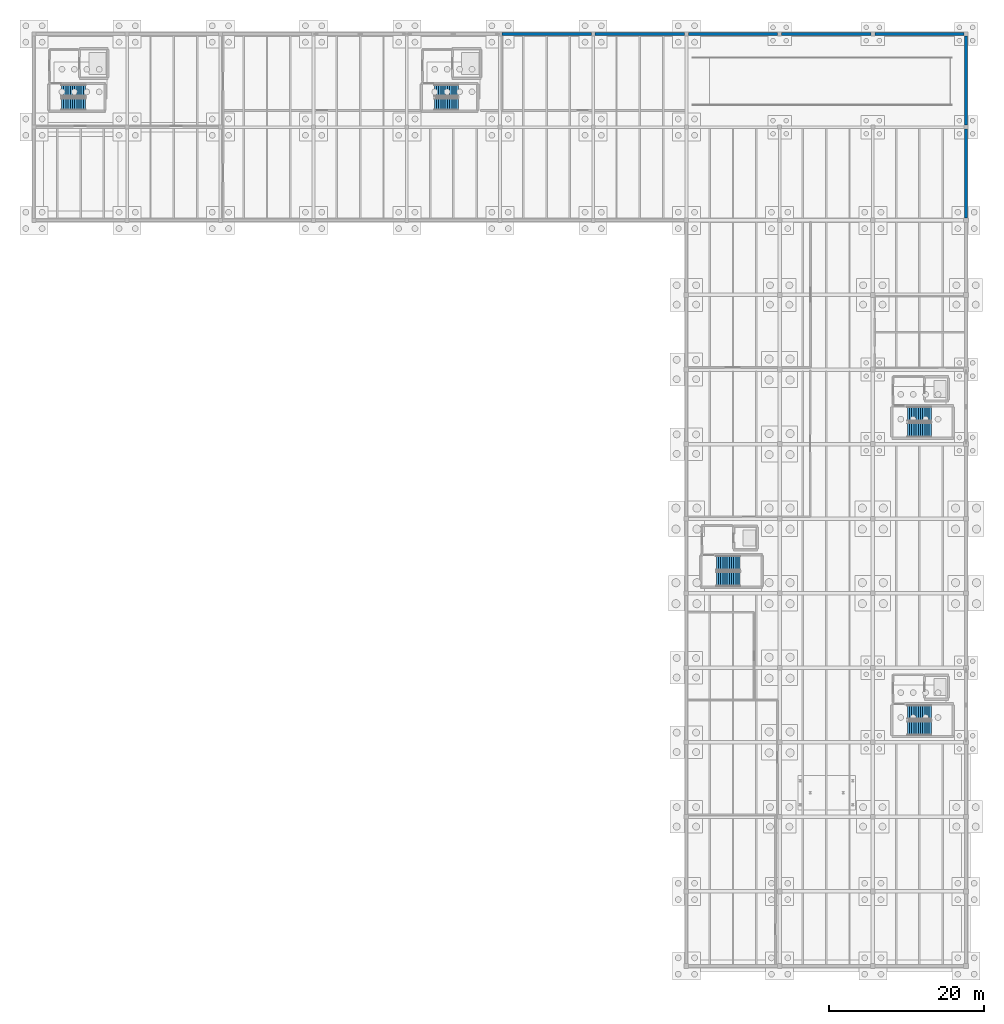
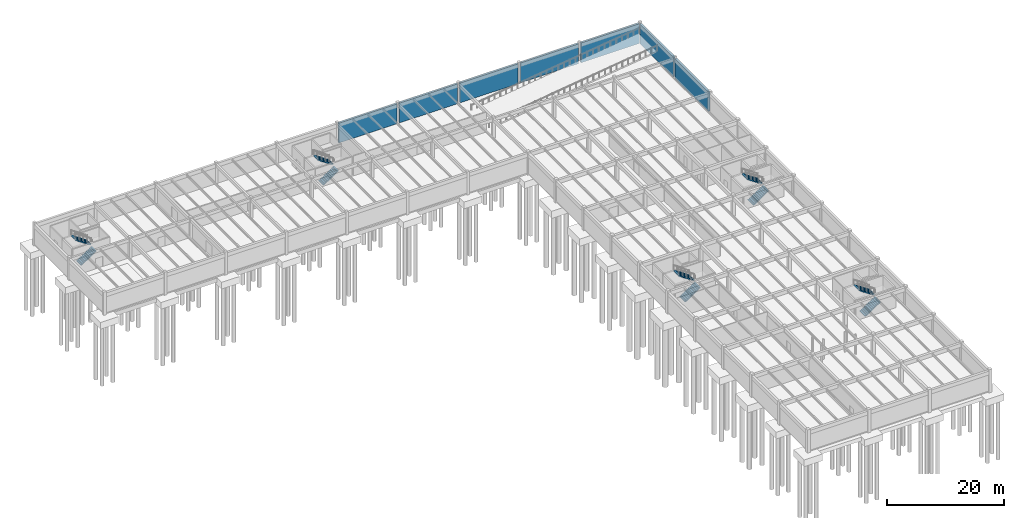
# One storey, part 14 of 20: 10 stair flights, 7 walls, 5 elements without a shape of their own.
"""IFC4 building model written with IfcOpenShell, lengths in metres."""

import ifcopenshell
import ifcopenshell.guid

model = None  # the IFC model being written
_history = None  # IfcOwnerHistory: only IFC2X3 demands one
_inside = {}  # id of a spatial element -> (the spatial element, [elements in it])
_under = {}  # id of a project, library or spatial element -> (it, [spatial elements below it])
_declared = {}  # id of a project -> (the project, [libraries it declares])
_typed = {}  # id of a type object -> (the type object, [elements of that type])
_made_of = {}  # id of a material, layer set ... -> (it, [elements and type objects made of it])


def new_model(schema):
    """Start an empty IFC model of exactly this schema.

    Asked for "IFC4X3", IfcOpenShell would pick the latest addendum, in which some entities
    have other attributes; the version numbers below select the first issue.
    IFC2X3 requires an IfcOwnerHistory on every rooted entity: one is made here for all.
    """
    global model, _history
    if schema == "IFC4X3":
        model = ifcopenshell.file(schema_version=(4, 3, 0, 0))
    else:
        model = ifcopenshell.file(schema=schema)
    _inside.clear()
    _under.clear()
    _declared.clear()
    _typed.clear()
    _made_of.clear()
    _history = None
    if model.schema == "IFC2X3":
        org = make("IfcOrganization", Name="unknown")
        user = make(
            "IfcPersonAndOrganization",
            ThePerson=make("IfcPerson", FamilyName="unknown"),
            TheOrganization=org,
        )
        app = make(
            "IfcApplication",
            ApplicationDeveloper=org,
            Version="unknown",
            ApplicationFullName="unknown",
            ApplicationIdentifier="unknown",
        )
        _history = make(
            "IfcOwnerHistory",
            OwningUser=user,
            OwningApplication=app,
            ChangeAction="ADDED",
            CreationDate=0,
        )
    return model


def make(cls, **values):
    """One entity of the class cls with the attributes given. An attribute that is None is left unset."""
    return model.create_entity(
        cls, **{name: value for name, value in values.items() if value is not None}
    )


def rooted(cls, **values):
    """An entity with a GlobalId (a new one), such as an element, a storey or a relation."""
    return make(cls, GlobalId=ifcopenshell.guid.new(), OwnerHistory=_history, **values)


def si_unit(unit_type, name, prefix=None):
    """IfcSIUnit, for example si_unit("LENGTHUNIT", "METRE", prefix="MILLI")."""
    return make("IfcSIUnit", UnitType=unit_type, Prefix=prefix, Name=name)


def assignment(units):
    """IfcUnitAssignment: the units of a project."""
    return None if units is None else make("IfcUnitAssignment", Units=units)


def point(xyz):
    """IfcCartesianPoint."""
    return None if xyz is None else make("IfcCartesianPoint", Coordinates=xyz)


def direction(xyz):
    """IfcDirection."""
    return None if xyz is None else make("IfcDirection", DirectionRatios=xyz)


def frame(location, z_axis=None, x_axis=None):
    """IfcAxis2Placement3D, a coordinate frame: its origin and axes. An axis left out is left unset."""
    return make(
        "IfcAxis2Placement3D",
        Location=point(location),
        Axis=direction(z_axis),
        RefDirection=direction(x_axis),
    )


def frame_2d(location, x_axis=None):
    """IfcAxis2Placement2D, a coordinate frame in the plane: its origin and x axis."""
    return make(
        "IfcAxis2Placement2D", Location=point(location), RefDirection=direction(x_axis)
    )


def origin():
    """The frame at (0, 0, 0) with its axes left unset."""
    return frame((0.0, 0.0, 0.0))


def place(relative_to, where):
    """IfcLocalPlacement: puts the frame where relative to a parent placement (None: the world)."""
    return make(
        "IfcLocalPlacement", PlacementRelTo=relative_to, RelativePlacement=where
    )


def context(
    kind, dimensions, precision=None, world=None, true_north=None, identifier=None
):
    """IfcGeometricRepresentationContext, for example the 3D "Model" context."""
    return make(
        "IfcGeometricRepresentationContext",
        ContextIdentifier=identifier,
        ContextType=kind,
        CoordinateSpaceDimension=dimensions,
        Precision=precision,
        WorldCoordinateSystem=world,
        TrueNorth=true_north,
    )


def subcontext(parent, identifier, kind, view, scale=None):
    """IfcGeometricRepresentationSubContext, for example "Body" below "Model"."""
    return make(
        "IfcGeometricRepresentationSubContext",
        ContextIdentifier=identifier,
        ContextType=kind,
        ParentContext=parent,
        TargetScale=scale,
        TargetView=view,
    )


def project(units=None, contexts=None):
    """IfcProject with its units and contexts."""
    return rooted(
        "IfcProject",
        Name="project",
        RepresentationContexts=contexts,
        UnitsInContext=assignment(units),
    )


def spatial(cls, under=None, at=None, **own):
    """A site, building, storey or space (cls), placed at a placement, below another one or the project."""
    s = rooted(cls, ObjectPlacement=at, **own)
    if under is not None:
        _under.setdefault(under.id(), (under, []))[1].append(s)
    return s


def polyline(points):
    """IfcPolyline through the points."""
    return make("IfcPolyline", Points=[point(p) for p in points])


def profile(cls, at=None, kind="AREA", **sizes):
    """A parametric profile (cls). Its sizes go by their IFC names, for example OverallWidth=200.0."""
    return make(cls, ProfileType=kind, Position=at, **sizes)


def rectangle(**sizes):
    """IfcRectangleProfileDef."""
    return profile("IfcRectangleProfileDef", **sizes)


def outline(outer, holes=None, kind="AREA"):
    """IfcArbitraryClosedProfileDef: a profile drawn as a closed curve; with holes, ...WithVoids."""
    if holes is None:
        return make("IfcArbitraryClosedProfileDef", ProfileType=kind, OuterCurve=outer)
    return make(
        "IfcArbitraryProfileDefWithVoids",
        ProfileType=kind,
        OuterCurve=outer,
        InnerCurves=holes,
    )


def extrude(swept, where, along, depth):
    """IfcExtrudedAreaSolid: the profile swept, set in the frame where, extruded along a direction by depth."""
    return make(
        "IfcExtrudedAreaSolid",
        SweptArea=swept,
        Position=where,
        ExtrudedDirection=direction(along),
        Depth=depth,
    )


def shape(context_of_items, identifier, shape_type, items):
    """IfcShapeRepresentation: the items that make up one representation, for example the "Body"."""
    return make(
        "IfcShapeRepresentation",
        ContextOfItems=context_of_items,
        RepresentationIdentifier=identifier,
        RepresentationType=shape_type,
        Items=items,
    )


def material(Name=None, Category=None):
    """IfcMaterial."""
    return make("IfcMaterial", Name=Name, Category=Category)


def layer(
    of_material, thickness, ventilated=None, Name=None, Category=None, Priority=None
):
    """IfcMaterialLayer: one layer of a wall or slab, of a material (None: an air gap)."""
    return make(
        "IfcMaterialLayer",
        Material=of_material,
        LayerThickness=thickness,
        IsVentilated=ventilated,
        Name=Name,
        Category=Category,
        Priority=Priority,
    )


def layer_set(layers, Name=None):
    """IfcMaterialLayerSet."""
    return make("IfcMaterialLayerSet", MaterialLayers=layers, LayerSetName=Name)


def made_of(thing, what):
    """Note that an element or type object is made of a material, layer set ...; save() writes the relation."""
    if what is not None:
        _made_of.setdefault(what.id(), (what, []))[1].append(thing)
    return thing


def type_object(cls, material=None, **own):
    """A type object (cls), such as IfcWallType, which elements share."""
    return made_of(rooted(cls, **own), material)


def element(
    cls,
    number,
    at=None,
    inside=None,
    cuts=None,
    type_object=None,
    material=None,
    context=None,
    identifier="Body",
    shape_type=None,
    held_by="IfcProductDefinitionShape",
    body=None,
    shapes=None,
    **own,
):
    """One element of the class cls, such as IfcWall. Its Tag is "e" and its number.

    at: its placement. inside: the storey or other place that contains it. cuts: it is an
    opening in that element (IfcRelVoidsElement). A single representation is given by context,
    identifier, shape_type and body (its items); several are given by shapes. held_by: the class
    of the entity that holds the representations. save() writes the other relations.
    """
    e = rooted(cls, Tag="e%d" % number, ObjectPlacement=at, **own)
    if body is not None:
        shapes = [shape(context, identifier, shape_type, body)]
    if shapes is not None:
        e.Representation = make(held_by, Representations=shapes)
    if inside is not None:
        _inside.setdefault(inside.id(), (inside, []))[1].append(e)
    if cuts is not None:
        rooted(
            "IfcRelVoidsElement", RelatingBuildingElement=cuts, RelatedOpeningElement=e
        )
    if type_object is not None:
        _typed.setdefault(type_object.id(), (type_object, []))[1].append(e)
    return made_of(e, material)


def aggregate(whole, parts):
    """IfcRelAggregates: a whole, such as a stair, and the parts it consists of."""
    return rooted("IfcRelAggregates", RelatingObject=whole, RelatedObjects=parts)


def save(model, path):
    """Write the relations noted so far, then the file.

    IfcRelAggregates (storeys below a building ...), IfcRelContainedInSpatialStructure (elements
    in a storey), IfcRelDefinesByType, IfcRelAssociatesMaterial and IfcRelDeclares: one each for
    every whole, place, type object, material and project.
    """
    for whole, parts in _under.values():
        aggregate(whole, parts)
    for where, things in _inside.values():
        rooted(
            "IfcRelContainedInSpatialStructure",
            RelatedElements=things,
            RelatingStructure=where,
        )
    for kind, things in _typed.values():
        rooted("IfcRelDefinesByType", RelatedObjects=things, RelatingType=kind)
    for what, things in _made_of.values():
        rooted("IfcRelAssociatesMaterial", RelatedObjects=things, RelatingMaterial=what)
    for by, libraries in _declared.values():
        rooted("IfcRelDeclares", RelatingContext=by, RelatedDefinitions=libraries)
    model.write(path)


model = new_model("IFC4")

# Units and contexts
model_context = context("Model", 3, precision=1e-05, world=origin(), true_north=direction((0.0, 1.0)))
body_context = subcontext(model_context, "Body", "Model", "MODEL_VIEW")
ifc_project = project(units=[si_unit("LENGTHUNIT", "METRE"), si_unit("AREAUNIT", "SQUARE_METRE"), si_unit("VOLUMEUNIT", "CUBIC_METRE"), si_unit("PLANEANGLEUNIT", "RADIAN"), si_unit("MASSUNIT", "GRAM", prefix="KILO")], contexts=[model_context])

# Site, building, storey
site_placement = place(None, origin())
site = spatial("IfcSite", under=ifc_project, at=site_placement, CompositionType="ELEMENT")
building_placement = place(site_placement, origin())
building = spatial("IfcBuilding", under=site, at=building_placement, Name="Pandanus Reach Market Hall", CompositionType="ELEMENT")
storey_placement = place(building_placement, frame((0.0, 0.0, -4.5)))
storey = spatial("IfcBuildingStorey", under=building, at=storey_placement, Name="B1", CompositionType="ELEMENT", Elevation=-4.5)

# Walls
ifc_material = material(Name="Concrete N40 (40 MPa)", Category="concrete")
ifc_layer = layer(ifc_material, 0.360107421875, Name="WL-RET-360")
ifc_layer_set = layer_set([ifc_layer], Name="Concrete N40 (40 MPa)")
wall_type = type_object("IfcWallType", Name="WL-RET-360", PredefinedType="USERDEFINED", material=ifc_layer_set)
wall_placement = place(storey_placement, frame((180.0, 96.300048828125, 0.0), z_axis=(0.0, 0.0, 1.0), x_axis=(0.0, 1.0, 0.0)))
element("IfcWall", 1, at=wall_placement, inside=storey, type_object=wall_type, Name="External wall WL-RET-360 WL-0014", ObjectType="RETAINING", PredefinedType="USERDEFINED", context=body_context, shape_type="SweptSolid", body=[
    extrude(rectangle(XDim=11.449951171875, YDim=0.360107421875, at=frame_2d((5.72509765625, 0.0))), origin(), (0.0, 0.0, 1.0), 4.14990234375),
])
for number, where, z_axis, x_axis, name in (
    (2, (180.0, 108.25, 0.0), (0.0, 0.0, 1.0), (0.0, 1.0, 0.0), "External wall WL-RET-360 WL-0015"),
    (3, (120.25, 120.0, 0.0), (0.0, 0.0, 1.0), (1.0, 0.0, 0.0), "External wall WL-RET-360 WL-0021"),
    (4, (132.25, 120.0, 0.0), (0.0, 0.0, 1.0), (1.0, 0.0, 0.0), "External wall WL-RET-360 WL-0022"),
    (5, (144.25, 120.0, 0.0), (0.0, 0.0, 1.0), (1.0, 0.0, 0.0), "External wall WL-RET-360 WL-0023"),
    (6, (156.25, 120.0, 0.0), (0.0, 0.0, 1.0), (1.0, 0.0, 0.0), "External wall WL-RET-360 WL-0024"),
    (7, (168.25, 120.0, 0.0), (0.0, 0.0, 1.0), (1.0, 0.0, 0.0), "External wall WL-RET-360 WL-0025"),
):
    element("IfcWall", number, at=place(storey_placement, frame(where, z_axis=z_axis, x_axis=x_axis)), inside=storey, type_object=wall_type, Name=name, ObjectType="RETAINING", PredefinedType="USERDEFINED", context=body_context, shape_type="SweptSolid", body=[
        extrude(rectangle(XDim=11.5, YDim=0.360107421875, at=frame_2d((5.75, 0.0))), origin(), (0.0, 0.0, 1.0), 4.14990234375),
    ])

# Stair, stair flights
stair_type_1 = type_object("IfcStairType", Name="STR-01", PredefinedType="HALF_TURN_STAIR", material=ifc_material)
stair_1_placement = place(storey_placement, origin())
stair_1 = element("IfcStair", 8, at=stair_1_placement, inside=storey, type_object=stair_type_1, Name="Stair ST-01 B1", PredefinedType="HALF_TURN_STAIR")
stair_flight_type_1 = type_object("IfcStairFlightType", Name="STF-01", PredefinedType="STRAIGHT", material=ifc_material)
stair_flight_1_placement = place(storey_placement, frame((172.449951171875, 30.625, 0.0), z_axis=(0.0, 0.0, 1.0), x_axis=(1.0, 0.0, 0.0)))
stair_flight_1 = element("IfcStairFlight", 9, at=stair_flight_1_placement, type_object=stair_flight_type_1, Name="STR-01 flight 1", NumberOfRisers=12, NumberOfTreads=11, PredefinedType="STRAIGHT", RiserHeight=0.1875, TreadLength=0.28, context=body_context, shape_type="SweptSolid", body=[
    extrude(outline(polyline([(0.0, 0.0), (0.0, 0.1875), (0.280029296875, 0.1875), (0.280029296875, 0.375), (0.56005859375, 0.375), (0.56005859375, 0.5625), (0.840087890625, 0.5625), (0.840087890625, 0.75), (1.1201171875, 0.75), (1.1201171875, 0.9375), (1.39990234375, 0.9375), (1.39990234375, 1.125), (1.679931640625, 1.125), (1.679931640625, 1.3125), (1.9599609375, 1.3125), (1.9599609375, 1.5), (2.239990234375, 1.5), (2.239990234375, 1.6875), (2.52001953125, 1.6875), (2.52001953125, 1.875), (2.800048828125, 1.875), (2.800048828125, 2.0625), (3.080078125, 2.0625), (3.080078125, 2.25), (3.080078125, 1.882080078125), (0.26953125, 0.0), (0.0, 0.0)])), frame((0.0, 0.925048828125, 0.0), z_axis=(0.0, -1.0, 0.0), x_axis=(1.0, 0.0, 0.0)), (0.0, 0.0, 1.0), 1.85009765625),
])
stair_flight_2_placement = place(storey_placement, frame((175.530029296875, 32.675048828125, 2.25), z_axis=(0.0, 0.0, 1.0), x_axis=(-1.0, 0.0, 0.0)))
stair_flight_2 = element("IfcStairFlight", 10, at=stair_flight_2_placement, type_object=stair_flight_type_1, Name="STR-01 flight 2", NumberOfRisers=12, NumberOfTreads=11, PredefinedType="STRAIGHT", RiserHeight=0.1875, TreadLength=0.28, context=body_context, shape_type="SweptSolid", body=[
    extrude(outline(polyline([(0.0, 0.0), (0.0, 0.1875), (0.280029296875, 0.1875), (0.280029296875, 0.375), (0.56005859375, 0.375), (0.56005859375, 0.5625), (0.840087890625, 0.5625), (0.840087890625, 0.75), (1.1201171875, 0.75), (1.1201171875, 0.9375), (1.39990234375, 0.9375), (1.39990234375, 1.125), (1.679931640625, 1.125), (1.679931640625, 1.3125), (1.9599609375, 1.3125), (1.9599609375, 1.5), (2.239990234375, 1.5), (2.239990234375, 1.6875), (2.52001953125, 1.6875), (2.52001953125, 1.875), (2.800048828125, 1.875), (2.800048828125, 2.0625), (3.080078125, 2.0625), (3.080078125, 2.25), (3.080078125, 1.882080078125), (0.26953125, 0.0), (0.0, 0.0)])), frame((0.0, 0.925048828125, 0.0), z_axis=(0.0, -1.0, 0.0), x_axis=(1.0, 0.0, 0.0)), (0.0, 0.0, 1.0), 1.85009765625),
])
aggregate(stair_1, [stair_flight_1, stair_flight_2])

stair_2_placement = place(storey_placement, origin())
stair_2 = element("IfcStair", 11, at=stair_2_placement, inside=storey, type_object=stair_type_1, Name="Stair ST-02 B1", PredefinedType="HALF_TURN_STAIR")
stair_flight_3_placement = place(storey_placement, frame((172.449951171875, 69.02490234375, 0.0), z_axis=(0.0, 0.0, 1.0), x_axis=(1.0, 0.0, 0.0)))
stair_flight_3 = element("IfcStairFlight", 12, at=stair_flight_3_placement, type_object=stair_flight_type_1, Name="STR-01 flight 1", NumberOfRisers=12, NumberOfTreads=11, PredefinedType="STRAIGHT", RiserHeight=0.1875, TreadLength=0.28, context=body_context, shape_type="SweptSolid", body=[
    extrude(outline(polyline([(0.0, 0.0), (0.0, 0.1875), (0.280029296875, 0.1875), (0.280029296875, 0.375), (0.56005859375, 0.375), (0.56005859375, 0.5625), (0.840087890625, 0.5625), (0.840087890625, 0.75), (1.1201171875, 0.75), (1.1201171875, 0.9375), (1.39990234375, 0.9375), (1.39990234375, 1.125), (1.679931640625, 1.125), (1.679931640625, 1.3125), (1.9599609375, 1.3125), (1.9599609375, 1.5), (2.239990234375, 1.5), (2.239990234375, 1.6875), (2.52001953125, 1.6875), (2.52001953125, 1.875), (2.800048828125, 1.875), (2.800048828125, 2.0625), (3.080078125, 2.0625), (3.080078125, 2.25), (3.080078125, 1.882080078125), (0.26953125, 0.0), (0.0, 0.0)])), frame((0.0, 0.925048828125, 0.0), z_axis=(0.0, -1.0, 0.0), x_axis=(1.0, 0.0, 0.0)), (0.0, 0.0, 1.0), 1.85009765625),
])
stair_flight_4_placement = place(storey_placement, frame((175.530029296875, 71.074951171875, 2.25), z_axis=(0.0, 0.0, 1.0), x_axis=(-1.0, 0.0, 0.0)))
stair_flight_4 = element("IfcStairFlight", 13, at=stair_flight_4_placement, type_object=stair_flight_type_1, Name="STR-01 flight 2", NumberOfRisers=12, NumberOfTreads=11, PredefinedType="STRAIGHT", RiserHeight=0.1875, TreadLength=0.28, context=body_context, shape_type="SweptSolid", body=[
    extrude(outline(polyline([(0.0, 0.0), (0.0, 0.1875), (0.280029296875, 0.1875), (0.280029296875, 0.375), (0.56005859375, 0.375), (0.56005859375, 0.5625), (0.840087890625, 0.5625), (0.840087890625, 0.75), (1.1201171875, 0.75), (1.1201171875, 0.9375), (1.39990234375, 0.9375), (1.39990234375, 1.125), (1.679931640625, 1.125), (1.679931640625, 1.3125), (1.9599609375, 1.3125), (1.9599609375, 1.5), (2.239990234375, 1.5), (2.239990234375, 1.6875), (2.52001953125, 1.6875), (2.52001953125, 1.875), (2.800048828125, 1.875), (2.800048828125, 2.0625), (3.080078125, 2.0625), (3.080078125, 2.25), (3.080078125, 1.882080078125), (0.26953125, 0.0), (0.0, 0.0)])), frame((0.0, 0.925048828125, 0.0), z_axis=(0.0, -1.0, 0.0), x_axis=(1.0, 0.0, 0.0)), (0.0, 0.0, 1.0), 1.85009765625),
])
aggregate(stair_2, [stair_flight_3, stair_flight_4])

stair_3_placement = place(storey_placement, origin())
stair_3 = element("IfcStair", 14, at=stair_3_placement, inside=storey, type_object=stair_type_1, Name="Stair ST-03 B1", PredefinedType="HALF_TURN_STAIR")
stair_flight_5_placement = place(storey_placement, frame((147.85009765625, 49.824951171875, 0.0), z_axis=(0.0, 0.0, 1.0), x_axis=(1.0, 0.0, 0.0)))
stair_flight_5 = element("IfcStairFlight", 15, at=stair_flight_5_placement, type_object=stair_flight_type_1, Name="STR-01 flight 1", NumberOfRisers=12, NumberOfTreads=11, PredefinedType="STRAIGHT", RiserHeight=0.1875, TreadLength=0.28, context=body_context, shape_type="SweptSolid", body=[
    extrude(outline(polyline([(0.0, 0.0), (0.0, 0.1875), (0.280029296875, 0.1875), (0.280029296875, 0.375), (0.56005859375, 0.375), (0.56005859375, 0.5625), (0.840087890625, 0.5625), (0.840087890625, 0.75), (1.1201171875, 0.75), (1.1201171875, 0.9375), (1.39990234375, 0.9375), (1.39990234375, 1.125), (1.679931640625, 1.125), (1.679931640625, 1.3125), (1.9599609375, 1.3125), (1.9599609375, 1.5), (2.239990234375, 1.5), (2.239990234375, 1.6875), (2.52001953125, 1.6875), (2.52001953125, 1.875), (2.800048828125, 1.875), (2.800048828125, 2.0625), (3.080078125, 2.0625), (3.080078125, 2.25), (3.080078125, 1.882080078125), (0.26953125, 0.0), (0.0, 0.0)])), frame((0.0, 0.925048828125, 0.0), z_axis=(0.0, -1.0, 0.0), x_axis=(1.0, 0.0, 0.0)), (0.0, 0.0, 1.0), 1.85009765625),
])
stair_flight_6_placement = place(storey_placement, frame((150.929931640625, 51.875, 2.25), z_axis=(0.0, 0.0, 1.0), x_axis=(-1.0, 0.0, 0.0)))
stair_flight_6 = element("IfcStairFlight", 16, at=stair_flight_6_placement, type_object=stair_flight_type_1, Name="STR-01 flight 2", NumberOfRisers=12, NumberOfTreads=11, PredefinedType="STRAIGHT", RiserHeight=0.1875, TreadLength=0.28, context=body_context, shape_type="SweptSolid", body=[
    extrude(outline(polyline([(0.0, 0.0), (0.0, 0.1875), (0.280029296875, 0.1875), (0.280029296875, 0.375), (0.56005859375, 0.375), (0.56005859375, 0.5625), (0.840087890625, 0.5625), (0.840087890625, 0.75), (1.1201171875, 0.75), (1.1201171875, 0.9375), (1.39990234375, 0.9375), (1.39990234375, 1.125), (1.679931640625, 1.125), (1.679931640625, 1.3125), (1.9599609375, 1.3125), (1.9599609375, 1.5), (2.239990234375, 1.5), (2.239990234375, 1.6875), (2.52001953125, 1.6875), (2.52001953125, 1.875), (2.800048828125, 1.875), (2.800048828125, 2.0625), (3.080078125, 2.0625), (3.080078125, 2.25), (3.080078125, 1.882080078125), (0.26953125, 0.0), (0.0, 0.0)])), frame((0.0, 0.925048828125, 0.0), z_axis=(0.0, -1.0, 0.0), x_axis=(1.0, 0.0, 0.0)), (0.0, 0.0, 1.0), 1.85009765625),
])
aggregate(stair_3, [stair_flight_5, stair_flight_6])

stair_type_2 = type_object("IfcStairType", Name="STR-07", PredefinedType="HALF_TURN_STAIR", material=ifc_material)
stair_4_placement = place(storey_placement, origin())
stair_4 = element("IfcStair", 17, at=stair_4_placement, inside=storey, type_object=stair_type_2, Name="Stair ST-05 B1", PredefinedType="HALF_TURN_STAIR")
stair_flight_type_2 = type_object("IfcStairFlightType", Name="STF-07", PredefinedType="STRAIGHT", material=ifc_material)
stair_flight_7_placement = place(storey_placement, frame((63.550048828125, 110.97509765625, 0.0), z_axis=(0.0, 0.0, 1.0), x_axis=(1.0, 0.0, 0.0)))
stair_flight_7 = element("IfcStairFlight", 18, at=stair_flight_7_placement, type_object=stair_flight_type_2, Name="STR-07 flight 1", NumberOfRisers=12, NumberOfTreads=11, PredefinedType="STRAIGHT", RiserHeight=0.1875, TreadLength=0.28, context=body_context, shape_type="SweptSolid", body=[
    extrude(outline(polyline([(0.0, 0.0), (0.0, 0.1875), (0.280029296875, 0.1875), (0.280029296875, 0.375), (0.56005859375, 0.375), (0.56005859375, 0.5625), (0.840087890625, 0.5625), (0.840087890625, 0.75), (1.1201171875, 0.75), (1.1201171875, 0.9375), (1.39990234375, 0.9375), (1.39990234375, 1.125), (1.679931640625, 1.125), (1.679931640625, 1.3125), (1.9599609375, 1.3125), (1.9599609375, 1.5), (2.239990234375, 1.5), (2.239990234375, 1.6875), (2.52001953125, 1.6875), (2.52001953125, 1.875), (2.800048828125, 1.875), (2.800048828125, 2.0625), (3.080078125, 2.0625), (3.080078125, 2.25), (3.080078125, 1.882080078125), (0.26953125, 0.0), (0.0, 0.0)])), frame((0.0, 0.77490234375, 0.0), z_axis=(0.0, -1.0, 0.0), x_axis=(1.0, 0.0, 0.0)), (0.0, 0.0, 1.0), 1.550048828125),
])
stair_flight_8_placement = place(storey_placement, frame((66.6298828125, 112.72509765625, 2.25), z_axis=(0.0, 0.0, 1.0), x_axis=(-1.0, 0.0, 0.0)))
stair_flight_8 = element("IfcStairFlight", 19, at=stair_flight_8_placement, type_object=stair_flight_type_2, Name="STR-07 flight 2", NumberOfRisers=12, NumberOfTreads=11, PredefinedType="STRAIGHT", RiserHeight=0.1875, TreadLength=0.28, context=body_context, shape_type="SweptSolid", body=[
    extrude(outline(polyline([(0.0, 0.0), (0.0, 0.1875), (0.280029296875, 0.1875), (0.280029296875, 0.375), (0.56005859375, 0.375), (0.56005859375, 0.5625), (0.840087890625, 0.5625), (0.840087890625, 0.75), (1.1201171875, 0.75), (1.1201171875, 0.9375), (1.39990234375, 0.9375), (1.39990234375, 1.125), (1.679931640625, 1.125), (1.679931640625, 1.3125), (1.9599609375, 1.3125), (1.9599609375, 1.5), (2.239990234375, 1.5), (2.239990234375, 1.6875), (2.52001953125, 1.6875), (2.52001953125, 1.875), (2.800048828125, 1.875), (2.800048828125, 2.0625), (3.080078125, 2.0625), (3.080078125, 2.25), (3.080078125, 1.882080078125), (0.26953125, 0.0), (0.0, 0.0)])), frame((0.0, 0.77490234375, 0.0), z_axis=(0.0, -1.0, 0.0), x_axis=(1.0, 0.0, 0.0)), (0.0, 0.0, 1.0), 1.550048828125),
])
aggregate(stair_4, [stair_flight_7, stair_flight_8])

stair_5_placement = place(storey_placement, origin())
stair_5 = element("IfcStair", 20, at=stair_5_placement, inside=storey, type_object=stair_type_2, Name="Stair ST-06 B1", PredefinedType="HALF_TURN_STAIR")
stair_flight_9_placement = place(storey_placement, frame((111.550048828125, 110.97509765625, 0.0), z_axis=(0.0, 0.0, 1.0), x_axis=(1.0, 0.0, 0.0)))
stair_flight_9 = element("IfcStairFlight", 21, at=stair_flight_9_placement, type_object=stair_flight_type_2, Name="STR-07 flight 1", NumberOfRisers=12, NumberOfTreads=11, PredefinedType="STRAIGHT", RiserHeight=0.1875, TreadLength=0.28, context=body_context, shape_type="SweptSolid", body=[
    extrude(outline(polyline([(0.0, 0.0), (0.0, 0.1875), (0.280029296875, 0.1875), (0.280029296875, 0.375), (0.56005859375, 0.375), (0.56005859375, 0.5625), (0.840087890625, 0.5625), (0.840087890625, 0.75), (1.1201171875, 0.75), (1.1201171875, 0.9375), (1.39990234375, 0.9375), (1.39990234375, 1.125), (1.679931640625, 1.125), (1.679931640625, 1.3125), (1.9599609375, 1.3125), (1.9599609375, 1.5), (2.239990234375, 1.5), (2.239990234375, 1.6875), (2.52001953125, 1.6875), (2.52001953125, 1.875), (2.800048828125, 1.875), (2.800048828125, 2.0625), (3.080078125, 2.0625), (3.080078125, 2.25), (3.080078125, 1.882080078125), (0.26953125, 0.0), (0.0, 0.0)])), frame((0.0, 0.77490234375, 0.0), z_axis=(0.0, -1.0, 0.0), x_axis=(1.0, 0.0, 0.0)), (0.0, 0.0, 1.0), 1.550048828125),
])
stair_flight_10_placement = place(storey_placement, frame((114.6298828125, 112.72509765625, 2.25), z_axis=(0.0, 0.0, 1.0), x_axis=(-1.0, 0.0, 0.0)))
stair_flight_10 = element("IfcStairFlight", 22, at=stair_flight_10_placement, type_object=stair_flight_type_2, Name="STR-07 flight 2", NumberOfRisers=12, NumberOfTreads=11, PredefinedType="STRAIGHT", RiserHeight=0.1875, TreadLength=0.28, context=body_context, shape_type="SweptSolid", body=[
    extrude(outline(polyline([(0.0, 0.0), (0.0, 0.1875), (0.280029296875, 0.1875), (0.280029296875, 0.375), (0.56005859375, 0.375), (0.56005859375, 0.5625), (0.840087890625, 0.5625), (0.840087890625, 0.75), (1.1201171875, 0.75), (1.1201171875, 0.9375), (1.39990234375, 0.9375), (1.39990234375, 1.125), (1.679931640625, 1.125), (1.679931640625, 1.3125), (1.9599609375, 1.3125), (1.9599609375, 1.5), (2.239990234375, 1.5), (2.239990234375, 1.6875), (2.52001953125, 1.6875), (2.52001953125, 1.875), (2.800048828125, 1.875), (2.800048828125, 2.0625), (3.080078125, 2.0625), (3.080078125, 2.25), (3.080078125, 1.882080078125), (0.26953125, 0.0), (0.0, 0.0)])), frame((0.0, 0.77490234375, 0.0), z_axis=(0.0, -1.0, 0.0), x_axis=(1.0, 0.0, 0.0)), (0.0, 0.0, 1.0), 1.550048828125),
])
aggregate(stair_5, [stair_flight_9, stair_flight_10])

save(model, "model.ifc")
